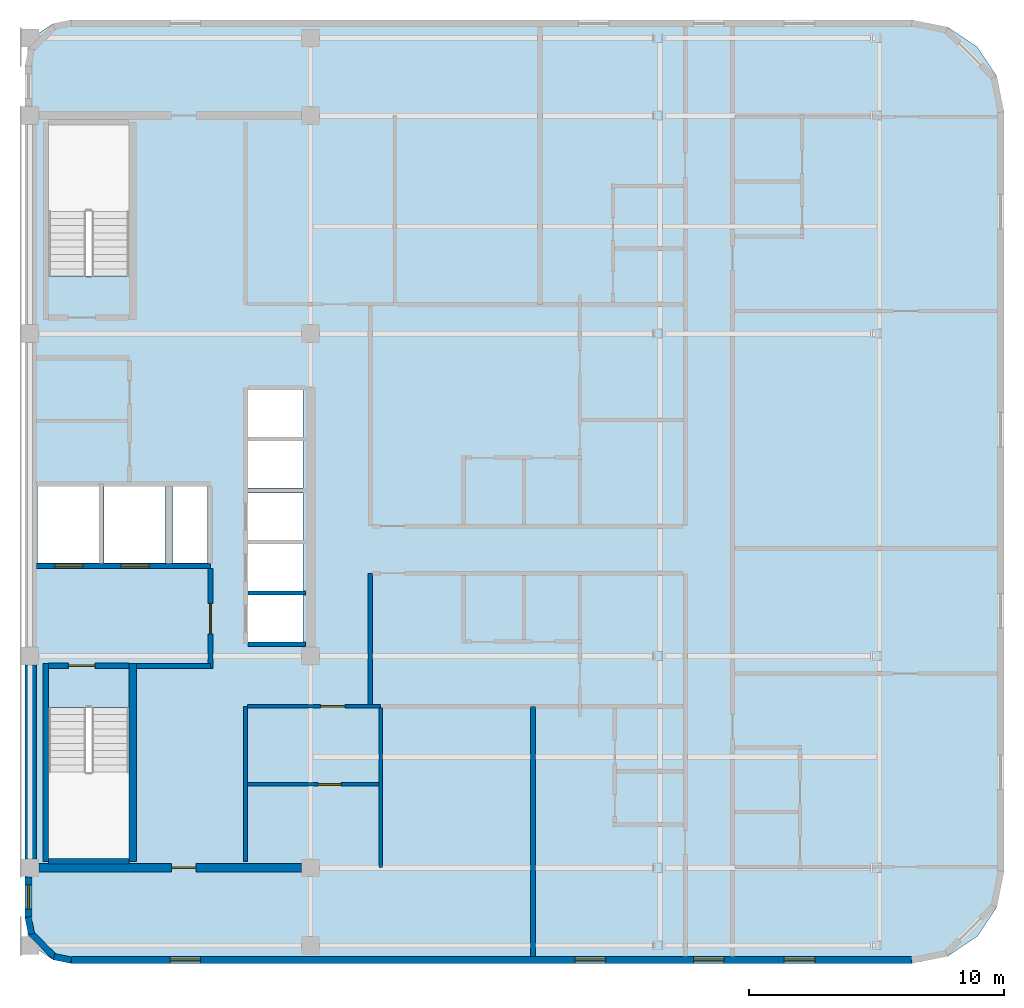
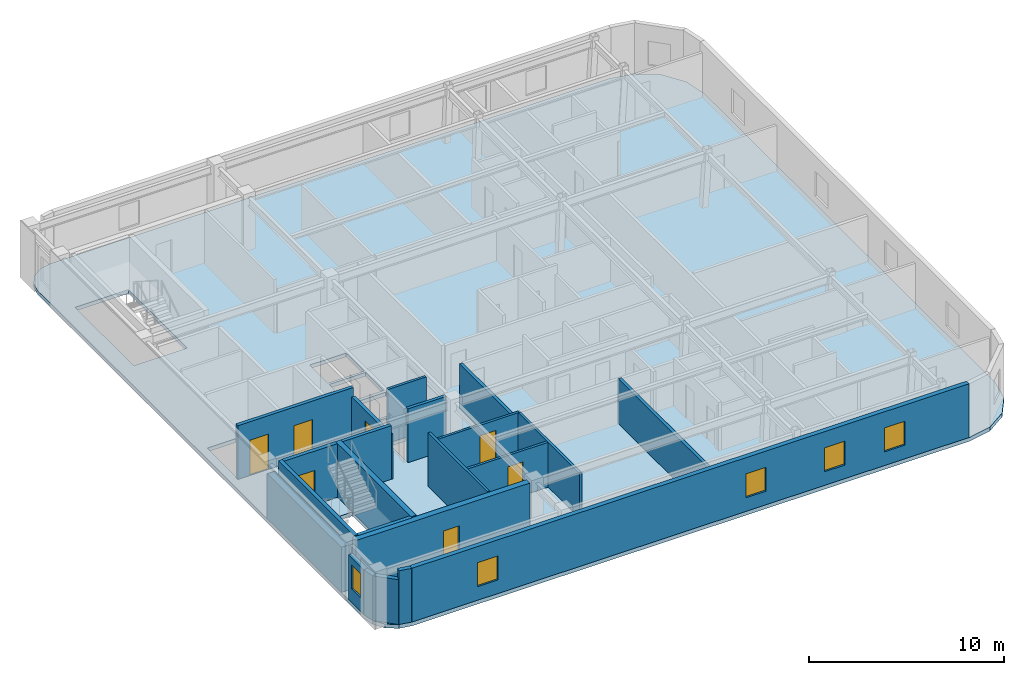
# One storey, part 2 of 6: 22 walls, 7 doors, 5 windows, 1 slab, 12 openings.
"""IFC4 building model written with IfcOpenShell, lengths in metres."""

from ifc_helpers import new_model, si_unit, direction, frame, frame_2d, origin, place, context, subcontext, project, spatial, polyline, rectangle, outline, extrude, material, layer, layer_set, type_object, element, fill, save


model = new_model("IFC4")

# Units and contexts
model_context = context("Model", 3, precision=1e-05, world=origin(), true_north=direction((0.0, 1.0)))
body_context = subcontext(model_context, "Body", "Model", "MODEL_VIEW")
ifc_project = project(units=[si_unit("LENGTHUNIT", "METRE"), si_unit("AREAUNIT", "SQUARE_METRE"), si_unit("VOLUMEUNIT", "CUBIC_METRE"), si_unit("PLANEANGLEUNIT", "RADIAN"), si_unit("MASSUNIT", "GRAM", prefix="KILO")], contexts=[model_context])

# Site, building, storey
site_placement = place(None, origin())
site = spatial("IfcSite", under=ifc_project, at=site_placement, CompositionType="ELEMENT")
building_placement = place(site_placement, origin())
building = spatial("IfcBuilding", under=site, at=building_placement, Name="Ochreholt Gables", CompositionType="ELEMENT")
storey_placement = place(building_placement, frame((0.0, 0.0, 253.199951171875)))
storey = spatial("IfcBuildingStorey", under=building, at=storey_placement, Name="L66", CompositionType="ELEMENT", Elevation=253.199951171875)

# Slab
ifc_material_1 = material(Name="Concrete 40 MPa", Category="concrete")
ifc_layer_1 = layer(ifc_material_1, 0.239990234375, Name="Concrete 40 MPa")
ifc_layer_set_1 = layer_set([ifc_layer_1], Name="Concrete 40 MPa")
slab_type = type_object("IfcSlabType", Name="SLAB-TWR-240", PredefinedType="FLOOR", material=ifc_layer_set_1)
slab_placement = place(storey_placement, frame((0.0, 0.0, -0.239990234375)))
element("IfcSlab", 1, at=slab_placement, inside=storey, type_object=slab_type, Name="L66 Structural Floor Slab", PredefinedType="FLOOR", context=body_context, shape_type="SweptSolid", body=[
    extrude(outline(polyline([(24.0, 7.300048828125), (24.136962890625, 6.611083984375), (24.527099609375, 6.027099609375), (25.111083984375, 5.636962890625), (25.800048828125, 5.5), (58.800048828125, 5.5), (60.177734375, 5.77392578125), (61.345703125, 6.554443359375), (62.1259765625, 7.722412109375), (62.39990234375, 9.10009765625), (62.39990234375, 38.89990234375), (62.1259765625, 40.277587890625), (61.345703125, 41.445556640625), (60.177734375, 42.22607421875), (58.800048828125, 42.5), (25.800048828125, 42.5), (25.111083984375, 42.363037109375), (24.527099609375, 41.972900390625), (24.136962890625, 41.388916015625), (24.0, 40.699951171875), (24.0, 7.300048828125)]), holes=[polyline([(24.919921875, 15.539306640625), (24.919921875, 9.52001953125), (28.080078125, 9.52001953125), (28.080078125, 15.539306640625), (24.919921875, 15.539306640625)]), polyline([(28.080078125, 32.460693359375), (28.080078125, 38.47998046875), (24.919921875, 38.47998046875), (24.919921875, 32.460693359375), (28.080078125, 32.460693359375)]), polyline([(24.5, 21.199951171875), (26.89990234375, 21.199951171875), (26.89990234375, 24.199951171875), (24.5, 24.199951171875), (24.5, 21.199951171875)]), polyline([(27.10009765625, 21.199951171875), (29.5, 21.199951171875), (29.5, 24.199951171875), (27.10009765625, 24.199951171875), (27.10009765625, 21.199951171875)]), polyline([(32.75, 18.10009765625), (34.89990234375, 18.10009765625), (34.89990234375, 19.949951171875), (32.75, 19.949951171875), (32.75, 18.10009765625)]), polyline([(32.75, 20.10009765625), (34.89990234375, 20.10009765625), (34.89990234375, 21.949951171875), (32.75, 21.949951171875), (32.75, 20.10009765625)]), polyline([(32.75, 22.10009765625), (34.89990234375, 22.10009765625), (34.89990234375, 23.949951171875), (32.75, 23.949951171875), (32.75, 22.10009765625)]), polyline([(32.75, 24.14990234375), (34.89990234375, 24.14990234375), (34.89990234375, 26.0), (32.75, 26.0), (32.75, 24.14990234375)]), polyline([(32.75, 26.14990234375), (34.89990234375, 26.14990234375), (34.89990234375, 28.0), (32.75, 28.0), (32.75, 26.14990234375)]), polyline([(29.800048828125, 21.199951171875), (31.14990234375, 21.199951171875), (31.14990234375, 24.199951171875), (29.800048828125, 24.199951171875), (29.800048828125, 21.199951171875)])]), origin(), (0.0, 0.0, 1.0), 0.239990234375),
])

# Wall, opening, door
ifc_material_2 = material(Name="Concrete 50 MPa", Category="concrete")
ifc_layer_2 = layer(ifc_material_2, 0.35009765625, Name="Concrete 50 MPa")
ifc_layer_set_2 = layer_set([ifc_layer_2], Name="Concrete 50 MPa")
wall_type_1 = type_object("IfcWallType", Name="WALL-CSW-350", PredefinedType="SHEAR", material=ifc_layer_set_2)
wall_1_placement = place(storey_placement, frame((24.550048828125, 9.25, 0.0), z_axis=(0.0, 0.0, 1.0), x_axis=(1.0, 0.0, 0.0)))
wall_1 = element("IfcWall", 2, at=wall_1_placement, inside=storey, type_object=wall_type_1, Name="L66 Core South Shear Wall", PredefinedType="SHEAR", context=body_context, shape_type="SweptSolid", body=[
    extrude(rectangle(XDim=10.300048828125, YDim=0.35009765625, at=frame_2d((5.14990234375, 0.0))), origin(), (0.0, 0.0, 1.0), 3.360107421875),
])
opening_1_placement = place(wall_1_placement, frame((5.199951171875, 0.0, 0.0)))
opening_1 = element("IfcOpeningElement", 3, at=opening_1_placement, cuts=wall_1, Name="Opening D-FL2", PredefinedType="OPENING", context=body_context, shape_type="SweptSolid", body=[
    extrude(rectangle(XDim=0.949951171875, YDim=2.14990234375, at=frame_2d((0.47509765625, 1.074951171875))), frame((0.0, 0.18505859375, 0.0), z_axis=(0.0, -1.0, 0.0), x_axis=(1.0, 0.0, 0.0)), (0.0, 0.0, 1.0), 0.3701171875),
])
ifc_material_3 = material(Name="Hollow Metal Steel", Category="steel")
door_type_1 = type_object("IfcDoorType", Name="DR-INT-FLB950", OperationType="NOTDEFINED", PredefinedType="DOOR", material=ifc_material_3)
door_1_placement = place(opening_1_placement, frame((0.949951171875, 0.0, 0.0), z_axis=(0.0, 0.0, 1.0), x_axis=(-1.0, 0.0, 0.0)))
door_1 = element("IfcDoor", 4, at=door_1_placement, inside=storey, type_object=door_type_1, Name="L66 Door D-C3SSL-L66", OperationType="SINGLE_SWING_LEFT", OverallHeight=2.14990234375, OverallWidth=0.949951171875, PredefinedType="DOOR", context=body_context, shape_type="SweptSolid", body=[
    extrude(rectangle(XDim=0.949951171875, YDim=2.14990234375, at=frame_2d((0.47509765625, 1.074951171875))), frame((0.0, 0.02490234375, 0.0), z_axis=(0.0, -1.0, 0.0), x_axis=(1.0, 0.0, 0.0)), (0.0, 0.0, 1.0), 0.050048828125),
])
fill(opening_1, door_1)

# Wall
ifc_layer_3 = layer(ifc_material_2, 0.449951171875, Name="Concrete 50 MPa")
ifc_layer_set_3 = layer_set([ifc_layer_3], Name="Concrete 50 MPa")
wall_type_2 = type_object("IfcWallType", Name="WALL-CSW-EXT", PredefinedType="SHEAR", material=ifc_layer_set_3)
wall_2_placement = place(storey_placement, frame((24.22509765625, 9.60009765625, 0.0), z_axis=(0.0, 0.0, 1.0), x_axis=(0.0, 1.0, 0.0)))
element("IfcWall", 5, at=wall_2_placement, inside=storey, type_object=wall_type_2, Name="L66 Core West Shear Wall WS", PredefinedType="SHEAR", context=body_context, shape_type="SweptSolid", body=[
    extrude(rectangle(XDim=7.599853515625, YDim=0.449951171875, at=frame_2d((3.7998046875, 0.0))), origin(), (0.0, 0.0, 1.0), 2.821044921875),
])

# Wall, openings, windows
ifc_material_4 = material(Name="Precast concrete 40 MPa", Category="concrete")
ifc_layer_4 = layer(ifc_material_4, 0.27001953125, Name="Precast concrete 40 MPa")
ifc_layer_set_4 = layer_set([ifc_layer_4], Name="Precast concrete 40 MPa")
wall_type_3 = type_object("IfcWallType", Name="WALL-EXT-270", PredefinedType="SOLIDWALL", material=ifc_layer_set_4)
wall_3_placement = place(storey_placement, frame((25.820068359375, 5.635009765625, 0.0), z_axis=(0.0, 0.0, 1.0), x_axis=(1.0, 0.0, 0.0)))
wall_3 = element("IfcWall", 6, at=wall_3_placement, inside=storey, type_object=wall_type_3, Name="L66 South Exterior Wall", PredefinedType="SOLIDWALL", context=body_context, shape_type="SweptSolid", body=[
    extrude(rectangle(XDim=32.9599609375, YDim=0.27001953125, at=frame_2d((16.47998046875, 0.0))), origin(), (0.0, 0.0, 1.0), 3.360107421875),
])
opening_2_placement = place(wall_3_placement, frame((3.8701171875, 0.0, 0.85009765625)))
opening_2 = element("IfcOpeningElement", 7, at=opening_2_placement, cuts=wall_3, Name="Opening WN-3", PredefinedType="OPENING", context=body_context, shape_type="SweptSolid", body=[
    extrude(rectangle(XDim=1.199951171875, YDim=1.5, at=frame_2d((0.60009765625, 0.75))), frame((0.0, 0.14501953125, 0.0), z_axis=(0.0, -1.0, 0.0), x_axis=(1.0, 0.0, 0.0)), (0.0, 0.0, 1.0), 0.2900390625),
])
opening_3_placement = place(wall_3_placement, frame((19.7529296875, 0.0, 0.85009765625)))
opening_3 = element("IfcOpeningElement", 8, at=opening_3_placement, cuts=wall_3, Name="Opening WN-3", PredefinedType="OPENING", context=body_context, shape_type="SweptSolid", body=[
    extrude(rectangle(XDim=1.199951171875, YDim=1.5, at=frame_2d((0.60009765625, 0.75))), frame((0.0, 0.14501953125, 0.0), z_axis=(0.0, -1.0, 0.0), x_axis=(1.0, 0.0, 0.0)), (0.0, 0.0, 1.0), 0.2900390625),
])
opening_4_placement = place(wall_3_placement, frame((24.405029296875, 0.0, 0.85009765625)))
opening_4 = element("IfcOpeningElement", 9, at=opening_4_placement, cuts=wall_3, Name="Opening WN-3", PredefinedType="OPENING", context=body_context, shape_type="SweptSolid", body=[
    extrude(rectangle(XDim=1.199951171875, YDim=1.5, at=frame_2d((0.60009765625, 0.75))), frame((0.0, 0.14501953125, 0.0), z_axis=(0.0, -1.0, 0.0), x_axis=(1.0, 0.0, 0.0)), (0.0, 0.0, 1.0), 0.2900390625),
])
opening_5_placement = place(wall_3_placement, frame((27.95849609375, 0.0, 0.85009765625)))
opening_5 = element("IfcOpeningElement", 10, at=opening_5_placement, cuts=wall_3, Name="Opening WN-3", PredefinedType="OPENING", context=body_context, shape_type="SweptSolid", body=[
    extrude(rectangle(XDim=1.199951171875, YDim=1.5, at=frame_2d((0.60009765625, 0.75))), frame((0.0, 0.14501953125, 0.0), z_axis=(0.0, -1.0, 0.0), x_axis=(1.0, 0.0, 0.0)), (0.0, 0.0, 1.0), 0.2900390625),
])
ifc_material_5 = material(Name="Triple-Glazed Thermally Broken Aluminium Window", Category="aluminium")
window_type_1 = type_object("IfcWindowType", Name="WIN-RES-1200", PartitioningType="SINGLE_PANEL", PredefinedType="WINDOW", material=ifc_material_5)
window_1_placement = place(opening_2_placement, origin())
window_1 = element("IfcWindow", 11, at=window_1_placement, inside=storey, type_object=window_type_1, Name="L66 Window W-EXT-S-L66-1", OverallHeight=1.5, OverallWidth=1.199951171875, PartitioningType="SINGLE_PANEL", PredefinedType="WINDOW", context=body_context, shape_type="SweptSolid", body=[
    extrude(rectangle(XDim=1.199951171875, YDim=1.5, at=frame_2d((0.60009765625, 0.75))), frame((0.0, 0.030029296875, 0.0), z_axis=(0.0, -1.0, 0.0), x_axis=(1.0, 0.0, 0.0)), (0.0, 0.0, 1.0), 0.06005859375),
])
fill(opening_2, window_1)
window_2_placement = place(opening_3_placement, origin())
window_2 = element("IfcWindow", 12, at=window_2_placement, inside=storey, type_object=window_type_1, Name="L66 Window W-EXT-S-L66-2", OverallHeight=1.5, OverallWidth=1.199951171875, PartitioningType="SINGLE_PANEL", PredefinedType="WINDOW", context=body_context, shape_type="SweptSolid", body=[
    extrude(rectangle(XDim=1.199951171875, YDim=1.5, at=frame_2d((0.60009765625, 0.75))), frame((0.0, 0.030029296875, 0.0), z_axis=(0.0, -1.0, 0.0), x_axis=(1.0, 0.0, 0.0)), (0.0, 0.0, 1.0), 0.06005859375),
])
fill(opening_3, window_2)
window_3_placement = place(opening_4_placement, origin())
window_3 = element("IfcWindow", 13, at=window_3_placement, inside=storey, type_object=window_type_1, Name="L66 Window W-EXT-S-L66-3", OverallHeight=1.5, OverallWidth=1.199951171875, PartitioningType="SINGLE_PANEL", PredefinedType="WINDOW", context=body_context, shape_type="SweptSolid", body=[
    extrude(rectangle(XDim=1.199951171875, YDim=1.5, at=frame_2d((0.60009765625, 0.75))), frame((0.0, 0.030029296875, 0.0), z_axis=(0.0, -1.0, 0.0), x_axis=(1.0, 0.0, 0.0)), (0.0, 0.0, 1.0), 0.06005859375),
])
fill(opening_4, window_3)
window_4_placement = place(opening_5_placement, origin())
window_4 = element("IfcWindow", 14, at=window_4_placement, inside=storey, type_object=window_type_1, Name="L66 Window W-EXT-S-L66-4", OverallHeight=1.5, OverallWidth=1.199951171875, PartitioningType="SINGLE_PANEL", PredefinedType="WINDOW", context=body_context, shape_type="SweptSolid", body=[
    extrude(rectangle(XDim=1.199951171875, YDim=1.5, at=frame_2d((0.60009765625, 0.75))), frame((0.0, 0.030029296875, 0.0), z_axis=(0.0, -1.0, 0.0), x_axis=(1.0, 0.0, 0.0)), (0.0, 0.0, 1.0), 0.06005859375),
])
fill(opening_5, window_4)

# Wall, opening, window
wall_4_placement = place(storey_placement, frame((24.135009765625, 7.320068359375, 0.0), z_axis=(0.0, 0.0, 1.0), x_axis=(0.0, 1.0, 0.0)))
wall_4 = element("IfcWall", 15, at=wall_4_placement, inside=storey, type_object=wall_type_3, Name="L66 West Facade South Bay Wall", PredefinedType="SOLIDWALL", context=body_context, shape_type="SweptSolid", body=[
    extrude(rectangle(XDim=1.559814453125, YDim=0.27001953125, at=frame_2d((0.77978515625, 0.0))), origin(), (0.0, 0.0, 1.0), 2.802978515625),
])
opening_6_placement = place(wall_4_placement, frame((0.304931640625, 0.0, 0.85009765625)))
opening_6 = element("IfcOpeningElement", 16, at=opening_6_placement, cuts=wall_4, Name="Opening WN-10", PredefinedType="OPENING", context=body_context, shape_type="SweptSolid", body=[
    extrude(rectangle(XDim=0.949951171875, YDim=1.5, at=frame_2d((0.47509765625, 0.75))), frame((0.0, 0.14501953125, 0.0), z_axis=(0.0, -1.0, 0.0), x_axis=(1.0, 0.0, 0.0)), (0.0, 0.0, 1.0), 0.2900390625),
])
window_type_2 = type_object("IfcWindowType", Name="WIN-RES-950", PartitioningType="SINGLE_PANEL", PredefinedType="WINDOW", material=ifc_material_5)
window_5_placement = place(opening_6_placement, origin())
window_5 = element("IfcWindow", 17, at=window_5_placement, inside=storey, type_object=window_type_2, Name="L66 South Sky Lounge West Window", OverallHeight=1.5, OverallWidth=0.949951171875, PartitioningType="SINGLE_PANEL", PredefinedType="WINDOW", context=body_context, shape_type="SweptSolid", body=[
    extrude(rectangle(XDim=0.949951171875, YDim=1.5, at=frame_2d((0.47509765625, 0.75))), frame((0.0, 0.030029296875, 0.0), z_axis=(0.0, -1.0, 0.0), x_axis=(1.0, 0.0, 0.0)), (0.0, 0.0, 1.0), 0.06005859375),
])
fill(opening_6, window_5)

# Walls
ifc_layer_5 = layer(ifc_material_4, 0.25, Name="Precast concrete 40 MPa")
ifc_layer_set_5 = layer_set([ifc_layer_5], Name="Precast concrete 40 MPa")
wall_type_4 = type_object("IfcWallType", Name="WALL-EXT-CNR", PredefinedType="SOLIDWALL", material=ifc_layer_set_5)
wall_5_placement = place(storey_placement, frame((24.124267578125, 7.31640625, 0.0), z_axis=(0.0, 0.0, 1.0), x_axis=(0.194952956674, -0.980812594069, 0.0)))
element("IfcWall", 18, at=wall_5_placement, inside=storey, type_object=wall_type_4, Name="L66 Rounded Corner Wall SW-1", PredefinedType="SOLIDWALL", context=body_context, shape_type="SweptSolid", body=[
    extrude(rectangle(XDim=0.686279296875, YDim=0.25, at=frame_2d((0.34326171875, 0.0))), origin(), (0.0, 0.0, 1.0), 2.802978515625),
])
wall_6_placement = place(storey_placement, frame((24.23095703125, 6.69384765625, 0.0), z_axis=(0.0, 0.0, 1.0), x_axis=(0.707106781187, -0.707106781187, 0.0)))
element("IfcWall", 19, at=wall_6_placement, inside=storey, type_object=wall_type_4, Name="L66 Rounded Corner Wall SW-2", PredefinedType="SOLIDWALL", context=body_context, shape_type="SweptSolid", body=[
    extrude(rectangle(XDim=1.36181640625, YDim=0.25, at=frame_2d((0.680908203125, 0.0))), origin(), (0.0, 0.0, 1.0), 2.802978515625),
])
wall_7_placement = place(storey_placement, frame((25.143310546875, 5.758056640625, 0.0), z_axis=(0.0, 0.0, 1.0), x_axis=(0.980812594069, -0.194952956674, 0.0)))
element("IfcWall", 20, at=wall_7_placement, inside=storey, type_object=wall_type_4, Name="L66 Rounded Corner Wall SW-3", PredefinedType="SOLIDWALL", context=body_context, shape_type="SweptSolid", body=[
    extrude(rectangle(XDim=0.686279296875, YDim=0.25, at=frame_2d((0.34326171875, 0.0))), origin(), (0.0, 0.0, 1.0), 3.360107421875),
])

# Wall, openings, doors
ifc_layer_6 = layer(ifc_material_1, 0.199951171875, Name="Concrete 40 MPa")
ifc_layer_set_6 = layer_set([ifc_layer_6], Name="Concrete 40 MPa")
wall_type_5 = type_object("IfcWallType", Name="WALL-INT-CF200", PredefinedType="STANDARD", material=ifc_layer_set_6)
wall_8_placement = place(storey_placement, frame((24.449951171875, 21.090087890625, 0.0), z_axis=(0.0, 0.0, 1.0), x_axis=(1.0, 0.0, 0.0)))
wall_8 = element("IfcWall", 21, at=wall_8_placement, inside=storey, type_object=wall_type_5, Name="L66 Interior Wall WI-FFN-L66", PredefinedType="STANDARD", context=body_context, shape_type="SweptSolid", body=[
    extrude(rectangle(XDim=6.830078125, YDim=0.199951171875, at=frame_2d((3.4150390625, 0.0))), origin(), (0.0, 0.0, 1.0), 3.360107421875),
])
opening_7_placement = place(wall_8_placement, frame((0.719970703125, 0.0, 0.0)))
opening_7 = element("IfcOpeningElement", 22, at=opening_7_placement, cuts=wall_8, Name="Opening LD-FF", PredefinedType="OPENING", context=body_context, shape_type="SweptSolid", body=[
    extrude(rectangle(XDim=1.10009765625, YDim=2.199951171875, at=frame_2d((0.550048828125, 1.10009765625))), frame((0.0, 0.10986328125, 0.0), z_axis=(0.0, -1.0, 0.0), x_axis=(1.0, 0.0, 0.0)), (0.0, 0.0, 1.0), 0.219970703125),
])
opening_8_placement = place(wall_8_placement, frame((3.320068359375, 0.0, 0.0)))
opening_8 = element("IfcOpeningElement", 23, at=opening_8_placement, cuts=wall_8, Name="Opening LD-FF", PredefinedType="OPENING", context=body_context, shape_type="SweptSolid", body=[
    extrude(rectangle(XDim=1.10009765625, YDim=2.199951171875, at=frame_2d((0.550048828125, 1.10009765625))), frame((0.0, 0.10986328125, 0.0), z_axis=(0.0, -1.0, 0.0), x_axis=(1.0, 0.0, 0.0)), (0.0, 0.0, 1.0), 0.219970703125),
])
ifc_material_6 = material(Name="Stainless Steel", Category="steel")
door_type_2 = type_object("IfcDoorType", Name="DR-LFT-FF1100", OperationType="NOTDEFINED", PredefinedType="DOOR", material=ifc_material_6)
door_2_placement = place(opening_7_placement, origin())
door_2 = element("IfcDoor", 24, at=door_2_placement, inside=storey, type_object=door_type_2, Name="L66 Door LD-FF1-L66", OperationType="SLIDING_TO_LEFT", OverallHeight=2.199951171875, OverallWidth=1.10009765625, PredefinedType="DOOR", context=body_context, shape_type="SweptSolid", body=[
    extrude(rectangle(XDim=1.10009765625, YDim=2.199951171875, at=frame_2d((0.550048828125, 1.10009765625))), frame((0.0, 0.02490234375, 0.0), z_axis=(0.0, -1.0, 0.0), x_axis=(1.0, 0.0, 0.0)), (0.0, 0.0, 1.0), 0.050048828125),
])
fill(opening_7, door_2)
door_3_placement = place(opening_8_placement, origin())
door_3 = element("IfcDoor", 25, at=door_3_placement, inside=storey, type_object=door_type_2, Name="L66 Door LD-FF2-L66", OperationType="SLIDING_TO_LEFT", OverallHeight=2.199951171875, OverallWidth=1.10009765625, PredefinedType="DOOR", context=body_context, shape_type="SweptSolid", body=[
    extrude(rectangle(XDim=1.10009765625, YDim=2.199951171875, at=frame_2d((0.550048828125, 1.10009765625))), frame((0.0, 0.02490234375, 0.0), z_axis=(0.0, -1.0, 0.0), x_axis=(1.0, 0.0, 0.0)), (0.0, 0.0, 1.0), 0.050048828125),
])
fill(opening_8, door_3)

# Wall
wall_9_placement = place(storey_placement, frame((28.3798828125, 17.169921875, 0.0), z_axis=(0.0, 0.0, 1.0), x_axis=(1.0, 0.0, 0.0)))
element("IfcWall", 26, at=wall_9_placement, inside=storey, type_object=wall_type_5, Name="L66 Interior Wall WI-FFS-L66", PredefinedType="STANDARD", context=body_context, shape_type="SweptSolid", body=[
    extrude(rectangle(XDim=2.900146484375, YDim=0.199951171875, at=frame_2d((1.4501953125, 0.0))), origin(), (0.0, 0.0, 1.0), 3.360107421875),
])

# Wall, opening, door
wall_10_placement = place(storey_placement, frame((31.280029296875, 17.070068359375, 0.0), z_axis=(0.0, 0.0, 1.0), x_axis=(0.0, 1.0, 0.0)))
wall_10 = element("IfcWall", 27, at=wall_10_placement, inside=storey, type_object=wall_type_5, Name="L66 Interior Wall WI-FFE-L66", PredefinedType="STANDARD", context=body_context, shape_type="SweptSolid", body=[
    extrude(rectangle(XDim=3.919921875, YDim=0.199951171875, at=frame_2d((1.9599609375, 0.0))), origin(), (0.0, 0.0, 1.0), 2.802978515625),
])
opening_9_placement = place(wall_10_placement, frame((1.35009765625, 0.0, 0.0)))
opening_9 = element("IfcOpeningElement", 28, at=opening_9_placement, cuts=wall_10, Name="Opening D-FFL", PredefinedType="OPENING", context=body_context, shape_type="SweptSolid", body=[
    extrude(rectangle(XDim=1.199951171875, YDim=2.14990234375, at=frame_2d((0.60009765625, 1.074951171875))), frame((0.0, 0.10986328125, 0.0), z_axis=(0.0, -1.0, 0.0), x_axis=(1.0, 0.0, 0.0)), (0.0, 0.0, 1.0), 0.219970703125),
])
door_type_3 = type_object("IfcDoorType", Name="DR-INT-FFL1200", OperationType="NOTDEFINED", PredefinedType="DOOR", material=ifc_material_3)
door_4_placement = place(opening_9_placement, origin())
door_4 = element("IfcDoor", 29, at=door_4_placement, inside=storey, type_object=door_type_3, Name="L66 Door D-FFL-L66", OperationType="SINGLE_SWING_LEFT", OverallHeight=2.14990234375, OverallWidth=1.199951171875, PredefinedType="DOOR", context=body_context, shape_type="SweptSolid", body=[
    extrude(rectangle(XDim=1.199951171875, YDim=2.14990234375, at=frame_2d((0.60009765625, 1.074951171875))), frame((0.0, 0.02490234375, 0.0), z_axis=(0.0, -1.0, 0.0), x_axis=(1.0, 0.0, 0.0)), (0.0, 0.0, 1.0), 0.050048828125),
])
fill(opening_9, door_4)

# Walls
ifc_material_7 = material(Name="Fire-Rated Gypsum Acoustic Partition", Category="gypsum")
ifc_layer_7 = layer(ifc_material_7, 0.179931640625, Name="Fire-Rated Gypsum Acoustic Partition")
ifc_layer_set_7 = layer_set([ifc_layer_7], Name="Fire-Rated Gypsum Acoustic Partition")
wall_type_6 = type_object("IfcWallType", Name="WALL-INT-CR180", PredefinedType="STANDARD", material=ifc_layer_set_7)
wall_11_placement = place(storey_placement, frame((37.550048828125, 15.652587890625, 0.0), z_axis=(0.0, 0.0, 1.0), x_axis=(0.0, 1.0, 0.0)))
element("IfcWall", 30, at=wall_11_placement, inside=storey, type_object=wall_type_6, Name="L66 Interior Wall WI-C3CE0-L66", PredefinedType="STANDARD", context=body_context, shape_type="SweptSolid", body=[
    extrude(rectangle(XDim=5.1474609375, YDim=0.179931640625, at=frame_2d((2.57373046875, 0.0))), origin(), (0.0, 0.0, 1.0), 2.802978515625),
])
ifc_material_8 = material(Name="Double-Stud Acoustic Demising Wall", Category="gypsum")
ifc_layer_8 = layer(ifc_material_8, 0.18505859375, Name="Double-Stud Acoustic Demising Wall")
ifc_layer_set_8 = layer_set([ifc_layer_8], Name="Double-Stud Acoustic Demising Wall")
wall_type_7 = type_object("IfcWallType", Name="WALL-INT-DM185", PredefinedType="PARTITIONING", material=ifc_layer_set_8)
wall_12_placement = place(storey_placement, frame((43.925048828125, 5.77001953125, 0.0), z_axis=(0.0, 0.0, 1.0), x_axis=(0.0, 1.0, 0.0)))
element("IfcWall", 31, at=wall_12_placement, inside=storey, type_object=wall_type_7, Name="L66 Interior Wall WI-C3SMX-L66", PredefinedType="PARTITIONING", context=body_context, shape_type="SweptSolid", body=[
    extrude(rectangle(XDim=9.81005859375, YDim=0.18505859375, at=frame_2d((4.905029296875, 0.0))), origin(), (0.0, 0.0, 1.0), 2.802978515625),
])
ifc_material_9 = material(Name="Lightweight Stud Partition", Category="gypsum")
ifc_layer_9 = layer(ifc_material_9, 0.14501953125, Name="Lightweight Stud Partition")
ifc_layer_set_9 = layer_set([ifc_layer_9], Name="Lightweight Stud Partition")
wall_type_8 = type_object("IfcWallType", Name="WALL-INT-PT145", PredefinedType="PARTITIONING", material=ifc_layer_set_9)
wall_13_placement = place(storey_placement, frame((32.64990234375, 9.5, 0.0), z_axis=(0.0, 0.0, 1.0), x_axis=(0.0, 1.0, 0.0)))
element("IfcWall", 32, at=wall_13_placement, inside=storey, type_object=wall_type_8, Name="L66 Interior Wall WI-RCL-W-L66", PredefinedType="PARTITIONING", context=body_context, shape_type="SweptSolid", body=[
    extrude(rectangle(XDim=6.080078125, YDim=0.14501953125, at=frame_2d((3.0400390625, 0.0))), origin(), (0.0, 0.0, 1.0), 3.360107421875),
])

# Wall, opening, door
wall_14_placement = place(storey_placement, frame((32.722412109375, 15.580078125, 0.0), z_axis=(0.0, 0.0, 1.0), x_axis=(1.0, 0.0, 0.0)))
wall_14 = element("IfcWall", 33, at=wall_14_placement, inside=storey, type_object=wall_type_8, Name="L66 Interior Wall WI-RCL-N-L66", PredefinedType="PARTITIONING", context=body_context, shape_type="SweptSolid", body=[
    extrude(rectangle(XDim=5.2275390625, YDim=0.14501953125, at=frame_2d((2.61376953125, 0.0))), origin(), (0.0, 0.0, 1.0), 2.802978515625),
])
opening_10_placement = place(wall_14_placement, frame((2.87744140625, 0.0, 0.0)))
opening_10 = element("IfcOpeningElement", 34, at=opening_10_placement, cuts=wall_14, Name="Opening D-GN1", PredefinedType="OPENING", context=body_context, shape_type="SweptSolid", body=[
    extrude(rectangle(XDim=0.949951171875, YDim=2.14990234375, at=frame_2d((0.47509765625, 1.074951171875))), frame((0.0, 0.08251953125, 0.0), z_axis=(0.0, -1.0, 0.0), x_axis=(1.0, 0.0, 0.0)), (0.0, 0.0, 1.0), 0.1650390625),
])
ifc_material_10 = material(Name="Engineered Oak Timber", Category="wood")
door_type_4 = type_object("IfcDoorType", Name="DR-INT-GEN950", OperationType="NOTDEFINED", PredefinedType="DOOR", material=ifc_material_10)
door_5_placement = place(opening_10_placement, origin())
door_5 = element("IfcDoor", 35, at=door_5_placement, inside=storey, type_object=door_type_4, Name="L66 Door D-RCL-L66", OperationType="SINGLE_SWING_LEFT", OverallHeight=2.14990234375, OverallWidth=0.949951171875, PredefinedType="DOOR", context=body_context, shape_type="SweptSolid", body=[
    extrude(rectangle(XDim=0.949951171875, YDim=2.14990234375, at=frame_2d((0.47509765625, 1.074951171875))), frame((0.0, 0.02490234375, 0.0), z_axis=(0.0, -1.0, 0.0), x_axis=(1.0, 0.0, 0.0)), (0.0, 0.0, 1.0), 0.050048828125),
])
fill(opening_10, door_5)

# Wall
wall_15_placement = place(storey_placement, frame((37.949951171875, 9.25, 0.0), z_axis=(0.0, 0.0, 1.0), x_axis=(0.0, 1.0, 0.0)))
element("IfcWall", 36, at=wall_15_placement, inside=storey, type_object=wall_type_8, Name="L66 Interior Wall WI-RCL-E-L66", PredefinedType="PARTITIONING", context=body_context, shape_type="SweptSolid", body=[
    extrude(rectangle(XDim=6.257568359375, YDim=0.14501953125, at=frame_2d((3.12890625, 0.0))), origin(), (0.0, 0.0, 1.0), 2.802978515625),
])

# Wall, opening, door
wall_16_placement = place(storey_placement, frame((32.722412109375, 12.52001953125, 0.0), z_axis=(0.0, 0.0, 1.0), x_axis=(1.0, 0.0, 0.0)))
wall_16 = element("IfcWall", 37, at=wall_16_placement, inside=storey, type_object=wall_type_8, Name="L66 Interior Wall WI-RCL-DV-L66", PredefinedType="PARTITIONING", context=body_context, shape_type="SweptSolid", body=[
    extrude(rectangle(XDim=5.155029296875, YDim=0.14501953125, at=frame_2d((2.57763671875, 0.0))), origin(), (0.0, 0.0, 1.0), 2.802978515625),
])
opening_11_placement = place(wall_16_placement, frame((2.777587890625, 0.0, 0.0)))
opening_11 = element("IfcOpeningElement", 38, at=opening_11_placement, cuts=wall_16, Name="Opening D-SV1", PredefinedType="OPENING", context=body_context, shape_type="SweptSolid", body=[
    extrude(rectangle(XDim=0.89990234375, YDim=2.10009765625, at=frame_2d((0.449951171875, 1.050048828125))), frame((0.0, 0.08251953125, 0.0), z_axis=(0.0, -1.0, 0.0), x_axis=(1.0, 0.0, 0.0)), (0.0, 0.0, 1.0), 0.1650390625),
])
door_type_5 = type_object("IfcDoorType", Name="DR-INT-SRV900", OperationType="NOTDEFINED", PredefinedType="DOOR", material=ifc_material_3)
door_6_placement = place(opening_11_placement, origin())
door_6 = element("IfcDoor", 39, at=door_6_placement, inside=storey, type_object=door_type_5, Name="L66 Door D-RCLI-L66", OperationType="SINGLE_SWING_RIGHT", OverallHeight=2.10009765625, OverallWidth=0.89990234375, PredefinedType="DOOR", context=body_context, shape_type="SweptSolid", body=[
    extrude(rectangle(XDim=0.89990234375, YDim=2.10009765625, at=frame_2d((0.449951171875, 1.050048828125))), frame((0.0, 0.02490234375, 0.0), z_axis=(0.0, -1.0, 0.0), x_axis=(1.0, 0.0, 0.0)), (0.0, 0.0, 1.0), 0.050048828125),
])
fill(opening_11, door_6)

# Walls
ifc_material_11 = material(Name="Gypsum Shaftliner and Steel Stud", Category="steel")
ifc_layer_10 = layer(ifc_material_11, 0.14990234375, Name="Gypsum Shaftliner and Steel Stud")
ifc_layer_set_10 = layer_set([ifc_layer_10], Name="Gypsum Shaftliner and Steel Stud")
wall_type_9 = type_object("IfcWallType", Name="WALL-INT-SH150", PredefinedType="STANDARD", material=ifc_layer_set_10)
wall_17_placement = place(storey_placement, frame((32.739990234375, 20.02001953125, 0.0), z_axis=(0.0, 0.0, 1.0), x_axis=(1.0, 0.0, 0.0)))
element("IfcWall", 40, at=wall_17_placement, inside=storey, type_object=wall_type_9, Name="L66 Interior Wall WI-LFHE-DH1-L66", PredefinedType="STANDARD", context=body_context, shape_type="SweptSolid", body=[
    extrude(rectangle(XDim=2.260009765625, YDim=0.14990234375, at=frame_2d((1.1298828125, 0.0))), origin(), (0.0, 0.0, 1.0), 3.360107421875),
])
ifc_layer_11 = layer(ifc_material_11, 0.179931640625, Name="Gypsum Shaftliner and Steel Stud")
ifc_layer_set_11 = layer_set([ifc_layer_11], Name="Gypsum Shaftliner and Steel Stud")
wall_type_10 = type_object("IfcWallType", Name="WALL-INT-SH180", PredefinedType="STANDARD", material=ifc_layer_set_11)
wall_18_placement = place(storey_placement, frame((32.739990234375, 18.02001953125, 0.0), z_axis=(0.0, 0.0, 1.0), x_axis=(1.0, 0.0, 0.0)))
element("IfcWall", 41, at=wall_18_placement, inside=storey, type_object=wall_type_10, Name="L66 Interior Wall WI-LFHE-S-L66", PredefinedType="STANDARD", context=body_context, shape_type="SweptSolid", body=[
    extrude(rectangle(XDim=2.260009765625, YDim=0.179931640625, at=frame_2d((1.1298828125, 0.0))), origin(), (0.0, 0.0, 1.0), 3.360107421875),
])
ifc_material_12 = material(Name="Concrete 60 MPa", Category="concrete")
ifc_layer_12 = layer(ifc_material_12, 0.300048828125, Name="Concrete 60 MPa")
ifc_layer_set_12 = layer_set([ifc_layer_12], Name="Concrete 60 MPa")
wall_type_11 = type_object("IfcWallType", Name="WALL-SPN-300", PredefinedType="SHEAR", material=ifc_layer_set_12)
wall_19_placement = place(storey_placement, frame((28.22998046875, 9.5, 0.0), z_axis=(0.0, 0.0, 1.0), x_axis=(0.0, 1.0, 0.0)))
element("IfcWall", 42, at=wall_19_placement, inside=storey, type_object=wall_type_11, Name="L66 Core South Spine Shear Wall", PredefinedType="SHEAR", context=body_context, shape_type="SweptSolid", body=[
    extrude(rectangle(XDim=7.760009765625, YDim=0.300048828125, at=frame_2d((3.8798828125, 0.0))), origin(), (0.0, 0.0, 1.0), 3.360107421875),
])
ifc_layer_13 = layer(ifc_material_2, 0.219970703125, Name="Concrete 50 MPa")
ifc_layer_set_13 = layer_set([ifc_layer_13], Name="Concrete 50 MPa")
wall_type_12 = type_object("IfcWallType", Name="WALL-STW-220", PredefinedType="SHEAR", material=ifc_layer_set_13)
wall_20_placement = place(storey_placement, frame((24.81005859375, 9.5, 0.0), z_axis=(0.0, 0.0, 1.0), x_axis=(0.0, 1.0, 0.0)))
element("IfcWall", 43, at=wall_20_placement, inside=storey, type_object=wall_type_12, Name="L66 Exit Stair 1 West Wall", PredefinedType="SHEAR", context=body_context, shape_type="SweptSolid", body=[
    extrude(rectangle(XDim=7.760009765625, YDim=0.219970703125, at=frame_2d((3.8798828125, 0.0))), origin(), (0.0, 0.0, 1.0), 3.360107421875),
])
wall_21_placement = place(storey_placement, frame((24.919921875, 9.510009765625, 0.0), z_axis=(0.0, 0.0, 1.0), x_axis=(1.0, 0.0, 0.0)))
element("IfcWall", 44, at=wall_21_placement, inside=storey, type_object=wall_type_12, Name="L66 Exit Stair 1 South Wall", PredefinedType="SHEAR", context=body_context, shape_type="SweptSolid", body=[
    extrude(rectangle(XDim=3.16015625, YDim=0.219970703125, at=frame_2d((1.580078125, 0.0))), origin(), (0.0, 0.0, 1.0), 3.360107421875),
])

# Wall, opening, door
wall_22_placement = place(storey_placement, frame((24.919921875, 17.169921875, 0.0), z_axis=(0.0, 0.0, 1.0), x_axis=(1.0, 0.0, 0.0)))
wall_22 = element("IfcWall", 45, at=wall_22_placement, inside=storey, type_object=wall_type_12, Name="L66 Exit Stair 1 North Wall", PredefinedType="SHEAR", context=body_context, shape_type="SweptSolid", body=[
    extrude(rectangle(XDim=3.16015625, YDim=0.219970703125, at=frame_2d((1.580078125, 0.0))), origin(), (0.0, 0.0, 1.0), 3.360107421875),
])
opening_12_placement = place(wall_22_placement, frame((0.780029296875, 0.0, 0.0)))
opening_12 = element("IfcOpeningElement", 46, at=opening_12_placement, cuts=wall_22, Name="Opening D-STC", PredefinedType="OPENING", context=body_context, shape_type="SweptSolid", body=[
    extrude(rectangle(XDim=1.050048828125, YDim=2.14990234375, at=frame_2d((0.52490234375, 1.074951171875))), frame((0.0, 0.119873046875, 0.0), z_axis=(0.0, -1.0, 0.0), x_axis=(1.0, 0.0, 0.0)), (0.0, 0.0, 1.0), 0.239990234375),
])
door_type_6 = type_object("IfcDoorType", Name="DR-INT-ST1050", OperationType="NOTDEFINED", PredefinedType="DOOR", material=ifc_material_3)
door_7_placement = place(opening_12_placement, frame((1.050048828125, 0.0, 0.0), z_axis=(0.0, 0.0, 1.0), x_axis=(-1.0, 0.0, 0.0)))
door_7 = element("IfcDoor", 47, at=door_7_placement, inside=storey, type_object=door_type_6, Name="L66 Door D-ST1-L66", OperationType="SINGLE_SWING_LEFT", OverallHeight=2.14990234375, OverallWidth=1.050048828125, PredefinedType="DOOR", context=body_context, shape_type="SweptSolid", body=[
    extrude(rectangle(XDim=1.050048828125, YDim=2.14990234375, at=frame_2d((0.52490234375, 1.074951171875))), frame((0.0, 0.02490234375, 0.0), z_axis=(0.0, -1.0, 0.0), x_axis=(1.0, 0.0, 0.0)), (0.0, 0.0, 1.0), 0.050048828125),
])
fill(opening_12, door_7)

save(model, "model.ifc")
